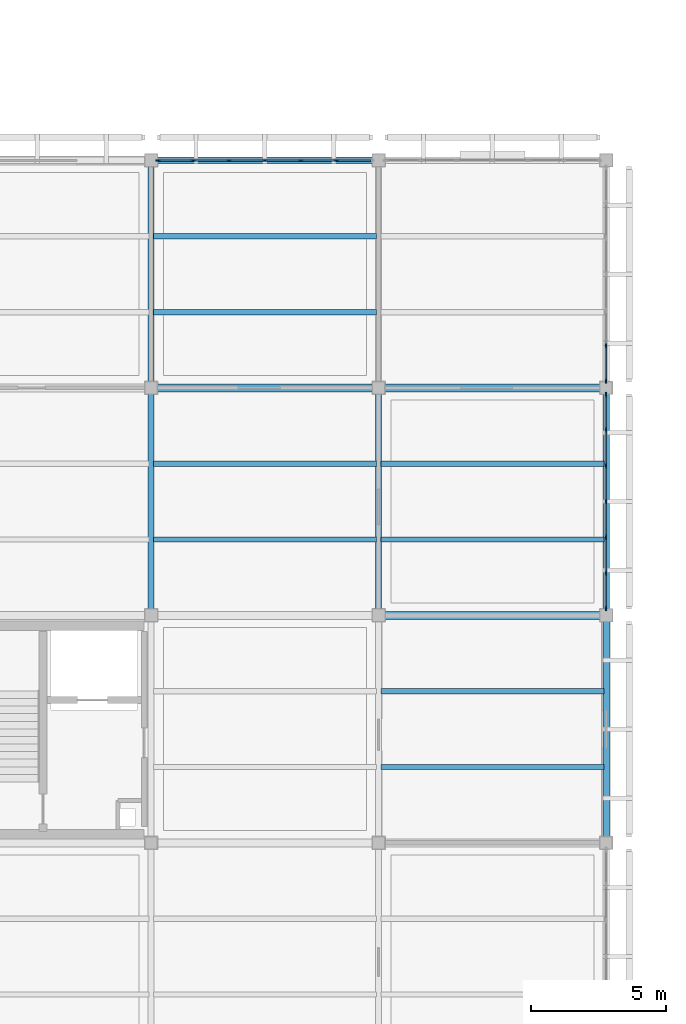
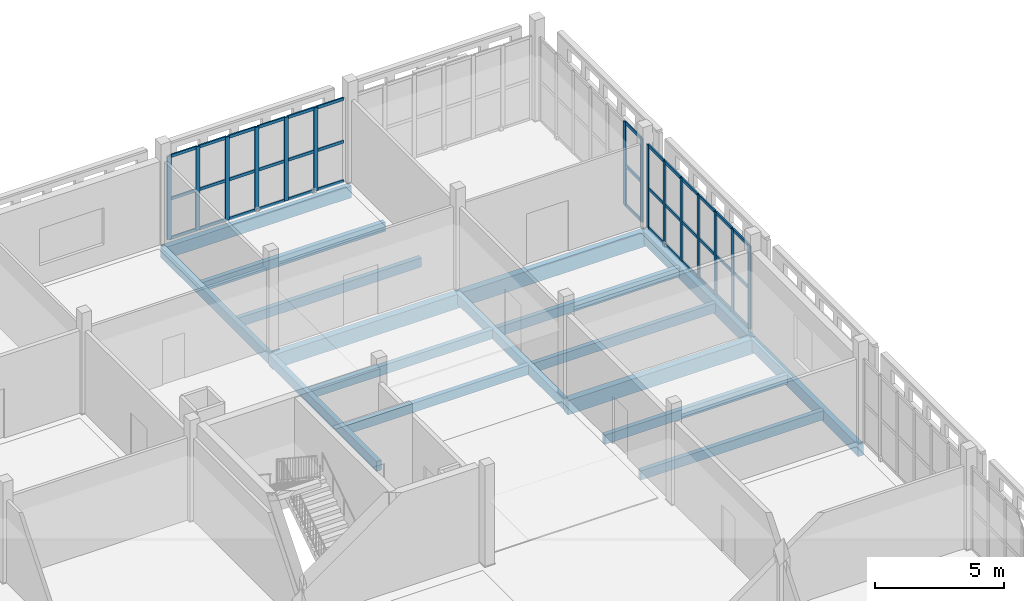
# One storey, part 85 of 203: 54 members, 17 beams, 3 elements without a shape of their own.
"""IFC4 building model written with IfcOpenShell, lengths in metres."""

from ifc_helpers import new_model, si_unit, direction, frame, origin, origin_2d, place, context, subcontext, project, spatial, rectangle, extrude, material, layer, layer_set, material_profile, profile_set, type_object, element, aggregate, save


model = new_model("IFC4")

# Units and contexts
model_context = context("Model", 3, precision=1e-05, world=origin(), true_north=direction((0.0, 1.0)))
body_context = subcontext(model_context, "Body", "Model", "MODEL_VIEW")
ifc_project = project(units=[si_unit("LENGTHUNIT", "METRE"), si_unit("AREAUNIT", "SQUARE_METRE"), si_unit("VOLUMEUNIT", "CUBIC_METRE"), si_unit("PLANEANGLEUNIT", "RADIAN"), si_unit("MASSUNIT", "GRAM", prefix="KILO")], contexts=[model_context])

# Site, building, storey
site_placement = place(None, origin())
site = spatial("IfcSite", under=ifc_project, at=site_placement, CompositionType="ELEMENT")
building_placement = place(site_placement, origin())
building = spatial("IfcBuilding", under=site, at=building_placement, Name="Varnapada Polytechnic", CompositionType="ELEMENT")
storey_placement = place(building_placement, frame((0.0, 0.0, 4.800048828125)))
storey = spatial("IfcBuildingStorey", under=building, at=storey_placement, Name="L01", CompositionType="ELEMENT", Elevation=4.800048828125)

# Beams
ifc_material_1 = material(Name="Glulam GL32h", Category="wood")
ifc_material_profile_1 = material_profile(ifc_material_1, rectangle(XDim=0.199951171875, YDim=0.43994140625, at=origin_2d()), Name="GL 200x440")
ifc_profile_set_1 = profile_set([ifc_material_profile_1], Name="Glulam GL32h")
beam_type_1 = type_object("IfcBeamType", Name="Heavy laboratory glulam joist GJ-03 (GL 200x440)", PredefinedType="JOIST", material=ifc_profile_set_1)
for number, where, z_axis, x_axis, name in (
    (1, (159.679931640625, 103.60009765625, -0.469970703125), (1.0, 0.0, 0.0), (0.0, 1.0, 0.0), "L01 floor joist 20/13.1"),
    (2, (159.679931640625, 106.39990234375, -0.469970703125), (1.0, 0.0, 0.0), (0.0, 1.0, 0.0), "L01 floor joist 20/13.2"),
    (3, (159.679931640625, 112.0, -0.469970703125), (1.0, 0.0, 0.0), (0.0, 1.0, 0.0), "L01 floor joist 20/14.1"),
    (4, (159.679931640625, 114.800048828125, -0.469970703125), (1.0, 0.0, 0.0), (0.0, 1.0, 0.0), "L01 floor joist 20/14.2"),
    (5, (168.080078125, 95.199951171875, -0.469970703125), (1.0, 0.0, 0.0), (0.0, 1.0, 0.0), "L01 floor joist 21/12.1"),
    (6, (168.080078125, 98.0, -0.469970703125), (1.0, 0.0, 0.0), (0.0, 1.0, 0.0), "L01 floor joist 21/12.2"),
    (7, (168.080078125, 103.60009765625, -0.469970703125), (1.0, 0.0, 0.0), (0.0, 1.0, 0.0), "L01 floor joist 21/13.1"),
    (8, (168.080078125, 106.39990234375, -0.469970703125), (1.0, 0.0, 0.0), (0.0, 1.0, 0.0), "L01 floor joist 21/13.2"),
):
    element("IfcBeam", number, at=place(storey_placement, frame(where, z_axis=z_axis, x_axis=x_axis)), inside=storey, type_object=beam_type_1, Name=name, PredefinedType="JOIST", context=body_context, shape_type="SweptSolid", body=[
        extrude(rectangle(XDim=0.199951171875, YDim=0.43994140625, at=origin_2d()), origin(), (0.0, 0.0, 1.0), 8.239990234375),
    ])

# Curtain wall, members
ifc_material_2 = material(Name="Double low-E laminated glass", Category="glass")
ifc_layer = layer(ifc_material_2, 0.179931640625)
ifc_layer_set = layer_set([ifc_layer], Name="Double low-E laminated glass")
curtain_wall_type = type_object("IfcCurtainWallType", Name="Curtain Wall CW-04", PredefinedType="NOTDEFINED", material=ifc_layer_set)
curtain_wall_1_placement = place(storey_placement, origin())
curtain_wall_1 = element("IfcCurtainWall", 9, at=curtain_wall_1_placement, inside=storey, type_object=curtain_wall_type, Name="L01 unitised curtain wall CW-04 (114)", PredefinedType="NOTDEFINED")
ifc_material_3 = material(Name="Anodised aluminium", Category="aluminium")
ifc_material_profile_2 = material_profile(ifc_material_3, rectangle(XDim=0.06494140625, YDim=0.179931640625, at=origin_2d()), Name="ALU M65x180")
ifc_profile_set_2 = profile_set([ifc_material_profile_2], Name="Anodised aluminium")
member_type_1 = type_object("IfcMemberType", Name="Mullion M-02", PredefinedType="MULLION", material=ifc_profile_set_2)
member_1_placement = place(storey_placement, frame((159.862548828125, 117.60009765625, 0.0), z_axis=(0.0, 0.0, 1.0), x_axis=(0.0, 1.0, 0.0)))
member_1 = element("IfcMember", 10, at=member_1_placement, type_object=member_type_1, Name="CW-04 mullion 1", PredefinedType="MULLION", context=body_context, shape_type="SweptSolid", body=[
    extrude(rectangle(XDim=0.06494140625, YDim=0.179931640625, at=origin_2d()), origin(), (0.0, 0.0, 1.0), 3.9599609375),
])
member_2_placement = place(storey_placement, frame((161.1533203125, 117.60009765625, 0.0), z_axis=(0.0, 0.0, 1.0), x_axis=(0.0, 1.0, 0.0)))
member_2 = element("IfcMember", 11, at=member_2_placement, type_object=member_type_1, Name="CW-04 mullion 2", PredefinedType="MULLION", context=body_context, shape_type="SweptSolid", body=[
    extrude(rectangle(XDim=0.06494140625, YDim=0.179931640625, at=origin_2d()), origin(), (0.0, 0.0, 1.0), 3.9599609375),
])
member_3_placement = place(storey_placement, frame((162.4765625, 117.60009765625, 0.0), z_axis=(0.0, 0.0, 1.0), x_axis=(0.0, 1.0, 0.0)))
member_3 = element("IfcMember", 12, at=member_3_placement, type_object=member_type_1, Name="CW-04 mullion 3", PredefinedType="MULLION", context=body_context, shape_type="SweptSolid", body=[
    extrude(rectangle(XDim=0.06494140625, YDim=0.179931640625, at=origin_2d()), origin(), (0.0, 0.0, 1.0), 3.9599609375),
])
member_4_placement = place(storey_placement, frame((163.800048828125, 117.60009765625, 0.0), z_axis=(0.0, 0.0, 1.0), x_axis=(0.0, 1.0, 0.0)))
member_4 = element("IfcMember", 13, at=member_4_placement, type_object=member_type_1, Name="CW-04 mullion 4", PredefinedType="MULLION", context=body_context, shape_type="SweptSolid", body=[
    extrude(rectangle(XDim=0.06494140625, YDim=0.179931640625, at=origin_2d()), origin(), (0.0, 0.0, 1.0), 3.9599609375),
])
member_5_placement = place(storey_placement, frame((165.123291015625, 117.60009765625, 0.0), z_axis=(0.0, 0.0, 1.0), x_axis=(0.0, 1.0, 0.0)))
member_5 = element("IfcMember", 14, at=member_5_placement, type_object=member_type_1, Name="CW-04 mullion 5", PredefinedType="MULLION", context=body_context, shape_type="SweptSolid", body=[
    extrude(rectangle(XDim=0.06494140625, YDim=0.179931640625, at=origin_2d()), origin(), (0.0, 0.0, 1.0), 3.9599609375),
])
member_6_placement = place(storey_placement, frame((166.44677734375, 117.60009765625, 0.0), z_axis=(0.0, 0.0, 1.0), x_axis=(0.0, 1.0, 0.0)))
member_6 = element("IfcMember", 15, at=member_6_placement, type_object=member_type_1, Name="CW-04 mullion 6", PredefinedType="MULLION", context=body_context, shape_type="SweptSolid", body=[
    extrude(rectangle(XDim=0.06494140625, YDim=0.179931640625, at=origin_2d()), origin(), (0.0, 0.0, 1.0), 3.9599609375),
])

curtain_wall_2_placement = place(storey_placement, origin())
curtain_wall_2 = element("IfcCurtainWall", 16, at=curtain_wall_2_placement, inside=storey, type_object=curtain_wall_type, Name="L01 unitised curtain wall CW-04 (125)", PredefinedType="NOTDEFINED")
member_7_placement = place(storey_placement, frame((176.39990234375, 108.947509765625, 0.0), z_axis=(0.0, 0.0, 1.0), x_axis=(1.0, 0.0, 0.0)))
member_7 = element("IfcMember", 17, at=member_7_placement, type_object=member_type_1, Name="CW-04 mullion 1", PredefinedType="MULLION", context=body_context, shape_type="SweptSolid", body=[
    extrude(rectangle(XDim=0.06494140625, YDim=0.179931640625, at=origin_2d()), origin(), (0.0, 0.0, 1.0), 3.9599609375),
])
member_8_placement = place(storey_placement, frame((176.39990234375, 107.655029296875, 0.0), z_axis=(0.0, 0.0, 1.0), x_axis=(1.0, 0.0, 0.0)))
member_8 = element("IfcMember", 18, at=member_8_placement, type_object=member_type_1, Name="CW-04 mullion 2", PredefinedType="MULLION", context=body_context, shape_type="SweptSolid", body=[
    extrude(rectangle(XDim=0.06494140625, YDim=0.179931640625, at=origin_2d()), origin(), (0.0, 0.0, 1.0), 3.9599609375),
])
member_9_placement = place(storey_placement, frame((176.39990234375, 106.330078125, 0.0), z_axis=(0.0, 0.0, 1.0), x_axis=(1.0, 0.0, 0.0)))
member_9 = element("IfcMember", 19, at=member_9_placement, type_object=member_type_1, Name="CW-04 mullion 3", PredefinedType="MULLION", context=body_context, shape_type="SweptSolid", body=[
    extrude(rectangle(XDim=0.06494140625, YDim=0.179931640625, at=origin_2d()), origin(), (0.0, 0.0, 1.0), 3.9599609375),
])
member_10_placement = place(storey_placement, frame((176.39990234375, 105.0048828125, 0.0), z_axis=(0.0, 0.0, 1.0), x_axis=(1.0, 0.0, 0.0)))
member_10 = element("IfcMember", 20, at=member_10_placement, type_object=member_type_1, Name="CW-04 mullion 4", PredefinedType="MULLION", context=body_context, shape_type="SweptSolid", body=[
    extrude(rectangle(XDim=0.06494140625, YDim=0.179931640625, at=origin_2d()), origin(), (0.0, 0.0, 1.0), 3.9599609375),
])
member_11_placement = place(storey_placement, frame((176.39990234375, 103.679931640625, 0.0), z_axis=(0.0, 0.0, 1.0), x_axis=(1.0, 0.0, 0.0)))
member_11 = element("IfcMember", 21, at=member_11_placement, type_object=member_type_1, Name="CW-04 mullion 5", PredefinedType="MULLION", context=body_context, shape_type="SweptSolid", body=[
    extrude(rectangle(XDim=0.06494140625, YDim=0.179931640625, at=origin_2d()), origin(), (0.0, 0.0, 1.0), 3.9599609375),
])
member_12_placement = place(storey_placement, frame((176.39990234375, 102.35498046875, 0.0), z_axis=(0.0, 0.0, 1.0), x_axis=(1.0, 0.0, 0.0)))
member_12 = element("IfcMember", 22, at=member_12_placement, type_object=member_type_1, Name="CW-04 mullion 6", PredefinedType="MULLION", context=body_context, shape_type="SweptSolid", body=[
    extrude(rectangle(XDim=0.06494140625, YDim=0.179931640625, at=origin_2d()), origin(), (0.0, 0.0, 1.0), 3.9599609375),
])
member_13_placement = place(storey_placement, frame((176.39990234375, 101.0625, 0.0), z_axis=(0.0, 0.0, 1.0), x_axis=(1.0, 0.0, 0.0)))
member_13 = element("IfcMember", 23, at=member_13_placement, type_object=member_type_1, Name="CW-04 mullion 7", PredefinedType="MULLION", context=body_context, shape_type="SweptSolid", body=[
    extrude(rectangle(XDim=0.06494140625, YDim=0.179931640625, at=origin_2d()), origin(), (0.0, 0.0, 1.0), 3.9599609375),
])

curtain_wall_3_placement = place(storey_placement, origin())
curtain_wall_3 = element("IfcCurtainWall", 24, at=curtain_wall_3_placement, inside=storey, type_object=curtain_wall_type, Name="L01 unitised curtain wall CW-04 (127)", PredefinedType="NOTDEFINED")
member_14_placement = place(storey_placement, frame((176.39990234375, 110.7451171875, 0.0), z_axis=(0.0, 0.0, 1.0), x_axis=(1.0, 0.0, 0.0)))
member_14 = element("IfcMember", 25, at=member_14_placement, type_object=member_type_1, Name="CW-04 mullion 6", PredefinedType="MULLION", context=body_context, shape_type="SweptSolid", body=[
    extrude(rectangle(XDim=0.06494140625, YDim=0.179931640625, at=origin_2d()), origin(), (0.0, 0.0, 1.0), 3.9599609375),
])
member_15_placement = place(storey_placement, frame((176.39990234375, 109.452392578125, 0.0), z_axis=(0.0, 0.0, 1.0), x_axis=(1.0, 0.0, 0.0)))
member_15 = element("IfcMember", 26, at=member_15_placement, type_object=member_type_1, Name="CW-04 mullion 7", PredefinedType="MULLION", context=body_context, shape_type="SweptSolid", body=[
    extrude(rectangle(XDim=0.06494140625, YDim=0.179931640625, at=origin_2d()), origin(), (0.0, 0.0, 1.0), 3.9599609375),
])

# Beams
ifc_material_profile_3 = material_profile(ifc_material_1, rectangle(XDim=0.239990234375, YDim=0.56005859375, at=origin_2d()), Name="GL 240x560")
ifc_profile_set_3 = profile_set([ifc_material_profile_3], Name="Glulam GL32h")
beam_type_2 = type_object("IfcBeamType", Name="Perimeter glulam spandrel beam SP-02 (GL 240x560)", PredefinedType="SPANDREL", material=ifc_profile_set_3)
beam_1_placement = place(storey_placement, frame((159.60009765625, 117.60009765625, -0.530029296875), z_axis=(1.0, 0.0, 0.0), x_axis=(0.0, 1.0, 0.0)))
element("IfcBeam", 27, at=beam_1_placement, inside=storey, type_object=beam_type_2, Name="L01 beam X 20-21 at Y15", PredefinedType="SPANDREL", context=body_context, shape_type="SweptSolid", body=[
    extrude(rectangle(XDim=0.239990234375, YDim=0.56005859375, at=origin_2d()), origin(), (0.0, 0.0, 1.0), 8.39990234375),
])
beam_2_placement = place(storey_placement, frame((176.39990234375, 92.39990234375, -0.530029296875), z_axis=(0.0, 1.0, 0.0), x_axis=(-1.0, 0.0, 0.0)))
element("IfcBeam", 28, at=beam_2_placement, inside=storey, type_object=beam_type_2, Name="L01 beam Y 12-13 at X22", PredefinedType="SPANDREL", context=body_context, shape_type="SweptSolid", body=[
    extrude(rectangle(XDim=0.239990234375, YDim=0.56005859375, at=origin_2d()), origin(), (0.0, 0.0, 1.0), 8.400146484375),
])
beam_3_placement = place(storey_placement, frame((176.39990234375, 100.800048828125, -0.530029296875), z_axis=(0.0, 1.0, 0.0), x_axis=(-1.0, 0.0, 0.0)))
element("IfcBeam", 29, at=beam_3_placement, inside=storey, type_object=beam_type_2, Name="L01 beam Y 13-14 at X22", PredefinedType="SPANDREL", context=body_context, shape_type="SweptSolid", body=[
    extrude(rectangle(XDim=0.239990234375, YDim=0.56005859375, at=origin_2d()), origin(), (0.0, 0.0, 1.0), 8.39990234375),
])

# Member
ifc_material_profile_4 = material_profile(ifc_material_3, rectangle(XDim=0.06494140625, YDim=0.139892578125, at=origin_2d()), Name="ALU T65x140")
ifc_profile_set_4 = profile_set([ifc_material_profile_4], Name="Anodised aluminium")
member_type_2 = type_object("IfcMemberType", Name="Transom T-02", PredefinedType="USERDEFINED", material=ifc_profile_set_4)
member_16_placement = place(storey_placement, frame((159.89501953125, 117.60009765625, 0.032470703125), z_axis=(1.0, 0.0, 0.0), x_axis=(0.0, 1.0, 0.0)))
member_16 = element("IfcMember", 30, at=member_16_placement, type_object=member_type_2, Name="CW-04 transom 1.1", ObjectType="TRANSOM", PredefinedType="USERDEFINED", context=body_context, shape_type="SweptSolid", body=[
    extrude(rectangle(XDim=0.06494140625, YDim=0.139892578125, at=origin_2d()), origin(), (0.0, 0.0, 1.0), 1.225830078125),
])

member_17_placement = place(storey_placement, frame((159.89501953125, 117.60009765625, 1.900634765625), z_axis=(1.0, 0.0, 0.0), x_axis=(0.0, 1.0, 0.0)))
member_17 = element("IfcMember", 31, at=member_17_placement, type_object=member_type_2, Name="CW-04 transom 1.2", ObjectType="TRANSOM", PredefinedType="USERDEFINED", context=body_context, shape_type="SweptSolid", body=[
    extrude(rectangle(XDim=0.06494140625, YDim=0.139892578125, at=origin_2d()), origin(), (0.0, 0.0, 1.0), 1.225830078125),
])

member_18_placement = place(storey_placement, frame((159.89501953125, 117.60009765625, 3.927490234375), z_axis=(1.0, 0.0, 0.0), x_axis=(0.0, 1.0, 0.0)))
member_18 = element("IfcMember", 32, at=member_18_placement, type_object=member_type_2, Name="CW-04 transom 1.3", ObjectType="TRANSOM", PredefinedType="USERDEFINED", context=body_context, shape_type="SweptSolid", body=[
    extrude(rectangle(XDim=0.06494140625, YDim=0.139892578125, at=origin_2d()), origin(), (0.0, 0.0, 1.0), 1.225830078125),
])

member_19_placement = place(storey_placement, frame((161.185791015625, 117.60009765625, 0.032470703125), z_axis=(1.0, 0.0, 0.0), x_axis=(0.0, 1.0, 0.0)))
member_19 = element("IfcMember", 33, at=member_19_placement, type_object=member_type_2, Name="CW-04 transom 2.1", ObjectType="TRANSOM", PredefinedType="USERDEFINED", context=body_context, shape_type="SweptSolid", body=[
    extrude(rectangle(XDim=0.06494140625, YDim=0.139892578125, at=origin_2d()), origin(), (0.0, 0.0, 1.0), 1.25830078125),
])

member_20_placement = place(storey_placement, frame((161.185791015625, 117.60009765625, 1.900634765625), z_axis=(1.0, 0.0, 0.0), x_axis=(0.0, 1.0, 0.0)))
member_20 = element("IfcMember", 34, at=member_20_placement, type_object=member_type_2, Name="CW-04 transom 2.2", ObjectType="TRANSOM", PredefinedType="USERDEFINED", context=body_context, shape_type="SweptSolid", body=[
    extrude(rectangle(XDim=0.06494140625, YDim=0.139892578125, at=origin_2d()), origin(), (0.0, 0.0, 1.0), 1.25830078125),
])

member_21_placement = place(storey_placement, frame((161.185791015625, 117.60009765625, 3.927490234375), z_axis=(1.0, 0.0, 0.0), x_axis=(0.0, 1.0, 0.0)))
member_21 = element("IfcMember", 35, at=member_21_placement, type_object=member_type_2, Name="CW-04 transom 2.3", ObjectType="TRANSOM", PredefinedType="USERDEFINED", context=body_context, shape_type="SweptSolid", body=[
    extrude(rectangle(XDim=0.06494140625, YDim=0.139892578125, at=origin_2d()), origin(), (0.0, 0.0, 1.0), 1.25830078125),
])

member_22_placement = place(storey_placement, frame((162.50927734375, 117.60009765625, 0.032470703125), z_axis=(1.0, 0.0, 0.0), x_axis=(0.0, 1.0, 0.0)))
member_22 = element("IfcMember", 36, at=member_22_placement, type_object=member_type_2, Name="CW-04 transom 3.1", ObjectType="TRANSOM", PredefinedType="USERDEFINED", context=body_context, shape_type="SweptSolid", body=[
    extrude(rectangle(XDim=0.06494140625, YDim=0.139892578125, at=origin_2d()), origin(), (0.0, 0.0, 1.0), 1.25830078125),
])

member_23_placement = place(storey_placement, frame((162.50927734375, 117.60009765625, 1.900634765625), z_axis=(1.0, 0.0, 0.0), x_axis=(0.0, 1.0, 0.0)))
member_23 = element("IfcMember", 37, at=member_23_placement, type_object=member_type_2, Name="CW-04 transom 3.2", ObjectType="TRANSOM", PredefinedType="USERDEFINED", context=body_context, shape_type="SweptSolid", body=[
    extrude(rectangle(XDim=0.06494140625, YDim=0.139892578125, at=origin_2d()), origin(), (0.0, 0.0, 1.0), 1.25830078125),
])

member_24_placement = place(storey_placement, frame((162.50927734375, 117.60009765625, 3.927490234375), z_axis=(1.0, 0.0, 0.0), x_axis=(0.0, 1.0, 0.0)))
member_24 = element("IfcMember", 38, at=member_24_placement, type_object=member_type_2, Name="CW-04 transom 3.3", ObjectType="TRANSOM", PredefinedType="USERDEFINED", context=body_context, shape_type="SweptSolid", body=[
    extrude(rectangle(XDim=0.06494140625, YDim=0.139892578125, at=origin_2d()), origin(), (0.0, 0.0, 1.0), 1.25830078125),
])

member_25_placement = place(storey_placement, frame((163.83251953125, 117.60009765625, 0.032470703125), z_axis=(1.0, 0.0, 0.0), x_axis=(0.0, 1.0, 0.0)))
member_25 = element("IfcMember", 39, at=member_25_placement, type_object=member_type_2, Name="CW-04 transom 4.1", ObjectType="TRANSOM", PredefinedType="USERDEFINED", context=body_context, shape_type="SweptSolid", body=[
    extrude(rectangle(XDim=0.06494140625, YDim=0.139892578125, at=origin_2d()), origin(), (0.0, 0.0, 1.0), 1.25830078125),
])

member_26_placement = place(storey_placement, frame((163.83251953125, 117.60009765625, 1.900634765625), z_axis=(1.0, 0.0, 0.0), x_axis=(0.0, 1.0, 0.0)))
member_26 = element("IfcMember", 40, at=member_26_placement, type_object=member_type_2, Name="CW-04 transom 4.2", ObjectType="TRANSOM", PredefinedType="USERDEFINED", context=body_context, shape_type="SweptSolid", body=[
    extrude(rectangle(XDim=0.06494140625, YDim=0.139892578125, at=origin_2d()), origin(), (0.0, 0.0, 1.0), 1.25830078125),
])

member_27_placement = place(storey_placement, frame((163.83251953125, 117.60009765625, 3.927490234375), z_axis=(1.0, 0.0, 0.0), x_axis=(0.0, 1.0, 0.0)))
member_27 = element("IfcMember", 41, at=member_27_placement, type_object=member_type_2, Name="CW-04 transom 4.3", ObjectType="TRANSOM", PredefinedType="USERDEFINED", context=body_context, shape_type="SweptSolid", body=[
    extrude(rectangle(XDim=0.06494140625, YDim=0.139892578125, at=origin_2d()), origin(), (0.0, 0.0, 1.0), 1.25830078125),
])

member_28_placement = place(storey_placement, frame((165.15576171875, 117.60009765625, 0.032470703125), z_axis=(1.0, 0.0, 0.0), x_axis=(0.0, 1.0, 0.0)))
member_28 = element("IfcMember", 42, at=member_28_placement, type_object=member_type_2, Name="CW-04 transom 5.1", ObjectType="TRANSOM", PredefinedType="USERDEFINED", context=body_context, shape_type="SweptSolid", body=[
    extrude(rectangle(XDim=0.06494140625, YDim=0.139892578125, at=origin_2d()), origin(), (0.0, 0.0, 1.0), 1.25830078125),
])

member_29_placement = place(storey_placement, frame((165.15576171875, 117.60009765625, 1.900634765625), z_axis=(1.0, 0.0, 0.0), x_axis=(0.0, 1.0, 0.0)))
member_29 = element("IfcMember", 43, at=member_29_placement, type_object=member_type_2, Name="CW-04 transom 5.2", ObjectType="TRANSOM", PredefinedType="USERDEFINED", context=body_context, shape_type="SweptSolid", body=[
    extrude(rectangle(XDim=0.06494140625, YDim=0.139892578125, at=origin_2d()), origin(), (0.0, 0.0, 1.0), 1.25830078125),
])

member_30_placement = place(storey_placement, frame((165.15576171875, 117.60009765625, 3.927490234375), z_axis=(1.0, 0.0, 0.0), x_axis=(0.0, 1.0, 0.0)))
member_30 = element("IfcMember", 44, at=member_30_placement, type_object=member_type_2, Name="CW-04 transom 5.3", ObjectType="TRANSOM", PredefinedType="USERDEFINED", context=body_context, shape_type="SweptSolid", body=[
    extrude(rectangle(XDim=0.06494140625, YDim=0.139892578125, at=origin_2d()), origin(), (0.0, 0.0, 1.0), 1.25830078125),
])

member_31_placement = place(storey_placement, frame((166.479248046875, 117.60009765625, 0.032470703125), z_axis=(1.0, 0.0, 0.0), x_axis=(0.0, 1.0, 0.0)))
member_31 = element("IfcMember", 45, at=member_31_placement, type_object=member_type_2, Name="CW-04 transom 6.1", ObjectType="TRANSOM", PredefinedType="USERDEFINED", context=body_context, shape_type="SweptSolid", body=[
    extrude(rectangle(XDim=0.06494140625, YDim=0.139892578125, at=origin_2d()), origin(), (0.0, 0.0, 1.0), 1.225830078125),
])

member_32_placement = place(storey_placement, frame((166.479248046875, 117.60009765625, 1.900634765625), z_axis=(1.0, 0.0, 0.0), x_axis=(0.0, 1.0, 0.0)))
member_32 = element("IfcMember", 46, at=member_32_placement, type_object=member_type_2, Name="CW-04 transom 6.2", ObjectType="TRANSOM", PredefinedType="USERDEFINED", context=body_context, shape_type="SweptSolid", body=[
    extrude(rectangle(XDim=0.06494140625, YDim=0.139892578125, at=origin_2d()), origin(), (0.0, 0.0, 1.0), 1.225830078125),
])

member_33_placement = place(storey_placement, frame((166.479248046875, 117.60009765625, 3.927490234375), z_axis=(1.0, 0.0, 0.0), x_axis=(0.0, 1.0, 0.0)))
member_33 = element("IfcMember", 47, at=member_33_placement, type_object=member_type_2, Name="CW-04 transom 6.3", ObjectType="TRANSOM", PredefinedType="USERDEFINED", context=body_context, shape_type="SweptSolid", body=[
    extrude(rectangle(XDim=0.06494140625, YDim=0.139892578125, at=origin_2d()), origin(), (0.0, 0.0, 1.0), 1.225830078125),
])

aggregate(curtain_wall_1, [member_1, member_2, member_3, member_4, member_5, member_6, member_16, member_17, member_18, member_19, member_20, member_21, member_22, member_23, member_24, member_25, member_26, member_27, member_28, member_29, member_30, member_31, member_32, member_33])

member_34_placement = place(storey_placement, frame((176.39990234375, 108.9150390625, 0.032470703125), z_axis=(0.0, -1.0, 0.0), x_axis=(1.0, 0.0, 0.0)))
member_34 = element("IfcMember", 48, at=member_34_placement, type_object=member_type_2, Name="CW-04 transom 1.1", ObjectType="TRANSOM", PredefinedType="USERDEFINED", context=body_context, shape_type="SweptSolid", body=[
    extrude(rectangle(XDim=0.06494140625, YDim=0.139892578125, at=origin_2d()), origin(), (0.0, 0.0, 1.0), 1.2275390625),
])

member_35_placement = place(storey_placement, frame((176.39990234375, 108.9150390625, 1.900634765625), z_axis=(0.0, -1.0, 0.0), x_axis=(1.0, 0.0, 0.0)))
member_35 = element("IfcMember", 49, at=member_35_placement, type_object=member_type_2, Name="CW-04 transom 1.2", ObjectType="TRANSOM", PredefinedType="USERDEFINED", context=body_context, shape_type="SweptSolid", body=[
    extrude(rectangle(XDim=0.06494140625, YDim=0.139892578125, at=origin_2d()), origin(), (0.0, 0.0, 1.0), 1.2275390625),
])

member_36_placement = place(storey_placement, frame((176.39990234375, 108.9150390625, 3.927490234375), z_axis=(0.0, -1.0, 0.0), x_axis=(1.0, 0.0, 0.0)))
member_36 = element("IfcMember", 50, at=member_36_placement, type_object=member_type_2, Name="CW-04 transom 1.3", ObjectType="TRANSOM", PredefinedType="USERDEFINED", context=body_context, shape_type="SweptSolid", body=[
    extrude(rectangle(XDim=0.06494140625, YDim=0.139892578125, at=origin_2d()), origin(), (0.0, 0.0, 1.0), 1.2275390625),
])

member_37_placement = place(storey_placement, frame((176.39990234375, 107.62255859375, 0.032470703125), z_axis=(0.0, -1.0, 0.0), x_axis=(1.0, 0.0, 0.0)))
member_37 = element("IfcMember", 51, at=member_37_placement, type_object=member_type_2, Name="CW-04 transom 2.1", ObjectType="TRANSOM", PredefinedType="USERDEFINED", context=body_context, shape_type="SweptSolid", body=[
    extrude(rectangle(XDim=0.06494140625, YDim=0.139892578125, at=origin_2d()), origin(), (0.0, 0.0, 1.0), 1.260009765625),
])

member_38_placement = place(storey_placement, frame((176.39990234375, 107.62255859375, 1.900634765625), z_axis=(0.0, -1.0, 0.0), x_axis=(1.0, 0.0, 0.0)))
member_38 = element("IfcMember", 52, at=member_38_placement, type_object=member_type_2, Name="CW-04 transom 2.2", ObjectType="TRANSOM", PredefinedType="USERDEFINED", context=body_context, shape_type="SweptSolid", body=[
    extrude(rectangle(XDim=0.06494140625, YDim=0.139892578125, at=origin_2d()), origin(), (0.0, 0.0, 1.0), 1.260009765625),
])

member_39_placement = place(storey_placement, frame((176.39990234375, 107.62255859375, 3.927490234375), z_axis=(0.0, -1.0, 0.0), x_axis=(1.0, 0.0, 0.0)))
member_39 = element("IfcMember", 53, at=member_39_placement, type_object=member_type_2, Name="CW-04 transom 2.3", ObjectType="TRANSOM", PredefinedType="USERDEFINED", context=body_context, shape_type="SweptSolid", body=[
    extrude(rectangle(XDim=0.06494140625, YDim=0.139892578125, at=origin_2d()), origin(), (0.0, 0.0, 1.0), 1.260009765625),
])

member_40_placement = place(storey_placement, frame((176.39990234375, 106.297607421875, 0.032470703125), z_axis=(0.0, -1.0, 0.0), x_axis=(1.0, 0.0, 0.0)))
member_40 = element("IfcMember", 54, at=member_40_placement, type_object=member_type_2, Name="CW-04 transom 3.1", ObjectType="TRANSOM", PredefinedType="USERDEFINED", context=body_context, shape_type="SweptSolid", body=[
    extrude(rectangle(XDim=0.06494140625, YDim=0.139892578125, at=origin_2d()), origin(), (0.0, 0.0, 1.0), 1.260009765625),
])

member_41_placement = place(storey_placement, frame((176.39990234375, 106.297607421875, 1.900634765625), z_axis=(0.0, -1.0, 0.0), x_axis=(1.0, 0.0, 0.0)))
member_41 = element("IfcMember", 55, at=member_41_placement, type_object=member_type_2, Name="CW-04 transom 3.2", ObjectType="TRANSOM", PredefinedType="USERDEFINED", context=body_context, shape_type="SweptSolid", body=[
    extrude(rectangle(XDim=0.06494140625, YDim=0.139892578125, at=origin_2d()), origin(), (0.0, 0.0, 1.0), 1.260009765625),
])

member_42_placement = place(storey_placement, frame((176.39990234375, 106.297607421875, 3.927490234375), z_axis=(0.0, -1.0, 0.0), x_axis=(1.0, 0.0, 0.0)))
member_42 = element("IfcMember", 56, at=member_42_placement, type_object=member_type_2, Name="CW-04 transom 3.3", ObjectType="TRANSOM", PredefinedType="USERDEFINED", context=body_context, shape_type="SweptSolid", body=[
    extrude(rectangle(XDim=0.06494140625, YDim=0.139892578125, at=origin_2d()), origin(), (0.0, 0.0, 1.0), 1.260009765625),
])

member_43_placement = place(storey_placement, frame((176.39990234375, 104.972412109375, 0.032470703125), z_axis=(0.0, -1.0, 0.0), x_axis=(1.0, 0.0, 0.0)))
member_43 = element("IfcMember", 57, at=member_43_placement, type_object=member_type_2, Name="CW-04 transom 4.1", ObjectType="TRANSOM", PredefinedType="USERDEFINED", context=body_context, shape_type="SweptSolid", body=[
    extrude(rectangle(XDim=0.06494140625, YDim=0.139892578125, at=origin_2d()), origin(), (0.0, 0.0, 1.0), 1.260009765625),
])

member_44_placement = place(storey_placement, frame((176.39990234375, 104.972412109375, 1.900634765625), z_axis=(0.0, -1.0, 0.0), x_axis=(1.0, 0.0, 0.0)))
member_44 = element("IfcMember", 58, at=member_44_placement, type_object=member_type_2, Name="CW-04 transom 4.2", ObjectType="TRANSOM", PredefinedType="USERDEFINED", context=body_context, shape_type="SweptSolid", body=[
    extrude(rectangle(XDim=0.06494140625, YDim=0.139892578125, at=origin_2d()), origin(), (0.0, 0.0, 1.0), 1.260009765625),
])

member_45_placement = place(storey_placement, frame((176.39990234375, 104.972412109375, 3.927490234375), z_axis=(0.0, -1.0, 0.0), x_axis=(1.0, 0.0, 0.0)))
member_45 = element("IfcMember", 59, at=member_45_placement, type_object=member_type_2, Name="CW-04 transom 4.3", ObjectType="TRANSOM", PredefinedType="USERDEFINED", context=body_context, shape_type="SweptSolid", body=[
    extrude(rectangle(XDim=0.06494140625, YDim=0.139892578125, at=origin_2d()), origin(), (0.0, 0.0, 1.0), 1.260009765625),
])

member_46_placement = place(storey_placement, frame((176.39990234375, 103.6474609375, 0.032470703125), z_axis=(0.0, -1.0, 0.0), x_axis=(1.0, 0.0, 0.0)))
member_46 = element("IfcMember", 60, at=member_46_placement, type_object=member_type_2, Name="CW-04 transom 5.1", ObjectType="TRANSOM", PredefinedType="USERDEFINED", context=body_context, shape_type="SweptSolid", body=[
    extrude(rectangle(XDim=0.06494140625, YDim=0.139892578125, at=origin_2d()), origin(), (0.0, 0.0, 1.0), 1.260009765625),
])

member_47_placement = place(storey_placement, frame((176.39990234375, 103.6474609375, 1.900634765625), z_axis=(0.0, -1.0, 0.0), x_axis=(1.0, 0.0, 0.0)))
member_47 = element("IfcMember", 61, at=member_47_placement, type_object=member_type_2, Name="CW-04 transom 5.2", ObjectType="TRANSOM", PredefinedType="USERDEFINED", context=body_context, shape_type="SweptSolid", body=[
    extrude(rectangle(XDim=0.06494140625, YDim=0.139892578125, at=origin_2d()), origin(), (0.0, 0.0, 1.0), 1.260009765625),
])

member_48_placement = place(storey_placement, frame((176.39990234375, 103.6474609375, 3.927490234375), z_axis=(0.0, -1.0, 0.0), x_axis=(1.0, 0.0, 0.0)))
member_48 = element("IfcMember", 62, at=member_48_placement, type_object=member_type_2, Name="CW-04 transom 5.3", ObjectType="TRANSOM", PredefinedType="USERDEFINED", context=body_context, shape_type="SweptSolid", body=[
    extrude(rectangle(XDim=0.06494140625, YDim=0.139892578125, at=origin_2d()), origin(), (0.0, 0.0, 1.0), 1.260009765625),
])

member_49_placement = place(storey_placement, frame((176.39990234375, 102.322509765625, 0.032470703125), z_axis=(0.0, -1.0, 0.0), x_axis=(1.0, 0.0, 0.0)))
member_49 = element("IfcMember", 63, at=member_49_placement, type_object=member_type_2, Name="CW-04 transom 6.1", ObjectType="TRANSOM", PredefinedType="USERDEFINED", context=body_context, shape_type="SweptSolid", body=[
    extrude(rectangle(XDim=0.06494140625, YDim=0.139892578125, at=origin_2d()), origin(), (0.0, 0.0, 1.0), 1.2275390625),
])

member_50_placement = place(storey_placement, frame((176.39990234375, 102.322509765625, 1.900634765625), z_axis=(0.0, -1.0, 0.0), x_axis=(1.0, 0.0, 0.0)))
member_50 = element("IfcMember", 64, at=member_50_placement, type_object=member_type_2, Name="CW-04 transom 6.2", ObjectType="TRANSOM", PredefinedType="USERDEFINED", context=body_context, shape_type="SweptSolid", body=[
    extrude(rectangle(XDim=0.06494140625, YDim=0.139892578125, at=origin_2d()), origin(), (0.0, 0.0, 1.0), 1.2275390625),
])

member_51_placement = place(storey_placement, frame((176.39990234375, 102.322509765625, 3.927490234375), z_axis=(0.0, -1.0, 0.0), x_axis=(1.0, 0.0, 0.0)))
member_51 = element("IfcMember", 65, at=member_51_placement, type_object=member_type_2, Name="CW-04 transom 6.3", ObjectType="TRANSOM", PredefinedType="USERDEFINED", context=body_context, shape_type="SweptSolid", body=[
    extrude(rectangle(XDim=0.06494140625, YDim=0.139892578125, at=origin_2d()), origin(), (0.0, 0.0, 1.0), 1.2275390625),
])

aggregate(curtain_wall_2, [member_7, member_8, member_9, member_10, member_11, member_12, member_13, member_34, member_35, member_36, member_37, member_38, member_39, member_40, member_41, member_42, member_43, member_44, member_45, member_46, member_47, member_48, member_49, member_50, member_51])

member_52_placement = place(storey_placement, frame((176.39990234375, 110.71240234375, 0.032470703125), z_axis=(0.0, -1.0, 0.0), x_axis=(1.0, 0.0, 0.0)))
member_52 = element("IfcMember", 66, at=member_52_placement, type_object=member_type_2, Name="CW-04 transom 6.1", ObjectType="TRANSOM", PredefinedType="USERDEFINED", context=body_context, shape_type="SweptSolid", body=[
    extrude(rectangle(XDim=0.06494140625, YDim=0.139892578125, at=origin_2d()), origin(), (0.0, 0.0, 1.0), 1.227294921875),
])

member_53_placement = place(storey_placement, frame((176.39990234375, 110.71240234375, 1.900634765625), z_axis=(0.0, -1.0, 0.0), x_axis=(1.0, 0.0, 0.0)))
member_53 = element("IfcMember", 67, at=member_53_placement, type_object=member_type_2, Name="CW-04 transom 6.2", ObjectType="TRANSOM", PredefinedType="USERDEFINED", context=body_context, shape_type="SweptSolid", body=[
    extrude(rectangle(XDim=0.06494140625, YDim=0.139892578125, at=origin_2d()), origin(), (0.0, 0.0, 1.0), 1.227294921875),
])

member_54_placement = place(storey_placement, frame((176.39990234375, 110.71240234375, 3.927490234375), z_axis=(0.0, -1.0, 0.0), x_axis=(1.0, 0.0, 0.0)))
member_54 = element("IfcMember", 68, at=member_54_placement, type_object=member_type_2, Name="CW-04 transom 6.3", ObjectType="TRANSOM", PredefinedType="USERDEFINED", context=body_context, shape_type="SweptSolid", body=[
    extrude(rectangle(XDim=0.06494140625, YDim=0.139892578125, at=origin_2d()), origin(), (0.0, 0.0, 1.0), 1.227294921875),
])

aggregate(curtain_wall_3, [member_14, member_15, member_52, member_53, member_54])

# Beams
ifc_material_profile_5 = material_profile(ifc_material_1, rectangle(XDim=0.219970703125, YDim=0.47998046875, at=origin_2d()), Name="GL 220x480")
ifc_profile_set_5 = profile_set([ifc_material_profile_5], Name="Glulam GL32h")
beam_type_3 = type_object("IfcBeamType", Name="Upper floor glulam tie beam GB-11 (GL 220x480)", PredefinedType="BEAM", material=ifc_profile_set_5)
beam_4_placement = place(storey_placement, frame((159.60009765625, 100.800048828125, -0.489990234375), z_axis=(0.0, 1.0, 0.0), x_axis=(-1.0, 0.0, 0.0)))
element("IfcBeam", 69, at=beam_4_placement, inside=storey, type_object=beam_type_3, Name="L01 beam Y 13-14 at X20", PredefinedType="BEAM", context=body_context, shape_type="SweptSolid", body=[
    extrude(rectangle(XDim=0.219970703125, YDim=0.47998046875, at=origin_2d()), origin(), (0.0, 0.0, 1.0), 8.39990234375),
])
beam_5_placement = place(storey_placement, frame((159.60009765625, 109.199951171875, -0.489990234375), z_axis=(0.0, 1.0, 0.0), x_axis=(-1.0, 0.0, 0.0)))
element("IfcBeam", 70, at=beam_5_placement, inside=storey, type_object=beam_type_3, Name="L01 beam Y 14-15 at X20", PredefinedType="BEAM", context=body_context, shape_type="SweptSolid", body=[
    extrude(rectangle(XDim=0.219970703125, YDim=0.47998046875, at=origin_2d()), origin(), (0.0, 0.0, 1.0), 8.400146484375),
])
beam_6_placement = place(storey_placement, frame((168.0, 100.800048828125, -0.489990234375), z_axis=(0.0, 1.0, 0.0), x_axis=(-1.0, 0.0, 0.0)))
element("IfcBeam", 71, at=beam_6_placement, inside=storey, type_object=beam_type_3, Name="L01 beam Y 13-14 at X21", PredefinedType="BEAM", context=body_context, shape_type="SweptSolid", body=[
    extrude(rectangle(XDim=0.219970703125, YDim=0.47998046875, at=origin_2d()), origin(), (0.0, 0.0, 1.0), 8.39990234375),
])
ifc_material_profile_6 = material_profile(ifc_material_1, rectangle(XDim=0.300048828125, YDim=0.679931640625, at=origin_2d()), Name="GL 300x680")
ifc_profile_set_6 = profile_set([ifc_material_profile_6], Name="Glulam GL32h")
beam_type_4 = type_object("IfcBeamType", Name="Wet laboratory glulam girder GG-04 (GL 300x680)", PredefinedType="BEAM", material=ifc_profile_set_6)
for number, where, z_axis, x_axis, name in (
    (72, (159.60009765625, 109.199951171875, -0.590087890625), (1.0, 0.0, 0.0), (0.0, 1.0, 0.0), "L01 beam X 20-21 at Y14"),
    (73, (168.0, 100.800048828125, -0.590087890625), (1.0, 0.0, 0.0), (0.0, 1.0, 0.0), "L01 beam X 21-22 at Y13"),
    (74, (168.0, 109.199951171875, -0.590087890625), (1.0, 0.0, 0.0), (0.0, 1.0, 0.0), "L01 beam X 21-22 at Y14"),
):
    element("IfcBeam", number, at=place(storey_placement, frame(where, z_axis=z_axis, x_axis=x_axis)), inside=storey, type_object=beam_type_4, Name=name, PredefinedType="BEAM", context=body_context, shape_type="SweptSolid", body=[
        extrude(rectangle(XDim=0.300048828125, YDim=0.679931640625, at=origin_2d()), origin(), (0.0, 0.0, 1.0), 8.39990234375),
    ])

save(model, "model.ifc")
